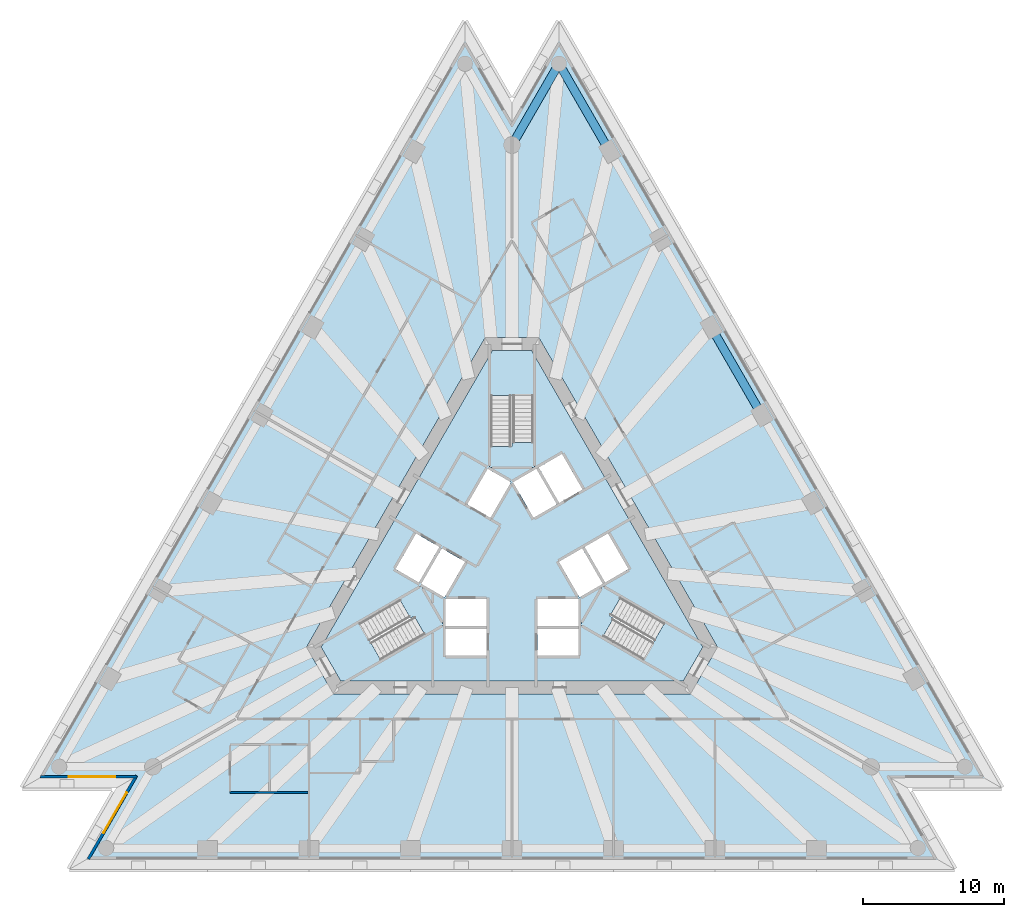
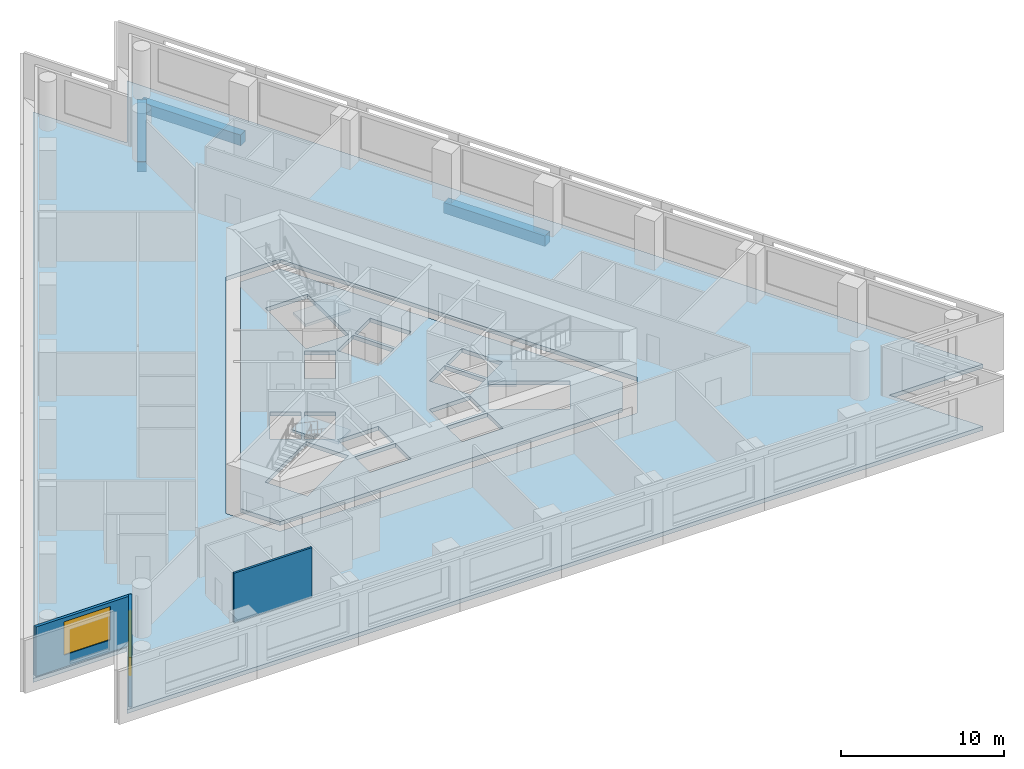
# One storey, part 2 of 11: 5 slabs, 3 beams, 3 walls, 2 windows, 2 openings, 3 elements without a shape of their own.
"""IFC4 building model written with IfcOpenShell, lengths in metres."""

from ifc_helpers import new_model, si_unit, direction, frame, frame_2d, origin, origin_2d, place, context, subcontext, project, spatial, polyline, rectangle, outline, extrude, material, layer, layer_set, layer_usage, material_profile, profile_set, type_object, element, fill, aggregate, save


model = new_model("IFC4")

# Units and contexts
model_context = context("Model", 3, precision=1e-05, world=origin(), true_north=direction((0.0, 1.0)))
body_context = subcontext(model_context, "Body", "Model", "MODEL_VIEW")
ifc_project = project(units=[si_unit("LENGTHUNIT", "METRE"), si_unit("AREAUNIT", "SQUARE_METRE"), si_unit("VOLUMEUNIT", "CUBIC_METRE"), si_unit("PLANEANGLEUNIT", "RADIAN"), si_unit("MASSUNIT", "GRAM", prefix="KILO")], contexts=[model_context])

# Site, building, storey
site_placement = place(None, origin())
site = spatial("IfcSite", under=ifc_project, at=site_placement, CompositionType="ELEMENT")
building_placement = place(site_placement, origin())
building = spatial("IfcBuilding", under=site, at=building_placement, Name="Triada Interchange Tower", CompositionType="ELEMENT")
storey_placement = place(building_placement, frame((0.0, 0.0, 91.300048828125)))
storey = spatial("IfcBuildingStorey", under=building, at=storey_placement, Name="L20", CompositionType="ELEMENT", Elevation=91.300048828125)

# Beams
ifc_material_1 = material(Name="Concrete C50/60", Category="concrete")
ifc_material_profile = material_profile(ifc_material_1, rectangle(XDim=0.60009765625, YDim=0.800048828125, at=origin_2d()), Name="RC 600x800")
ifc_profile_set = profile_set([ifc_material_profile], Name="Concrete C50/60")
beam_type = type_object("IfcBeamType", Name="Spandrel beam A RC 600x800", PredefinedType="BEAM", material=ifc_profile_set)
beam_1_placement = place(storey_placement, frame((17.69189453125, 10.214111328125, -0.699951171875), z_axis=(-0.499954846121, 0.866051471819, 0.0), x_axis=(-0.866051471819, -0.499954846121, 0.0)))
element("IfcBeam", 1, at=beam_1_placement, inside=storey, type_object=beam_type, Name="Spandrel beam EA25 L20", PredefinedType="BEAM", context=body_context, shape_type="SweptSolid", body=[
    extrude(rectangle(XDim=0.60009765625, YDim=0.800048828125, at=origin_2d()), origin(), (0.0, 0.0, 1.0), 7.184326171875),
])
beam_2_placement = place(storey_placement, frame((6.9169921875, 28.8779296875, -0.699951171875), z_axis=(-0.500024480384, 0.866011269567, 0.0), x_axis=(-0.866011269567, -0.500024480384, 0.0)))
element("IfcBeam", 2, at=beam_2_placement, inside=storey, type_object=beam_type, Name="Spandrel beam EA28 L20", PredefinedType="BEAM", context=body_context, shape_type="SweptSolid", body=[
    extrude(rectangle(XDim=0.60009765625, YDim=0.800048828125, at=origin_2d()), origin(), (0.0, 0.0, 1.0), 7.183837890625),
])
beam_3_placement = place(storey_placement, frame((3.324951171875, 35.09912109375, -0.699951171875), z_axis=(-0.49999681972, -0.866027239912, 0.0), x_axis=(0.866027239912, -0.49999681972, 0.0)))
element("IfcBeam", 3, at=beam_3_placement, inside=storey, type_object=beam_type, Name="Spandrel beam EA29 L20", PredefinedType="BEAM", context=body_context, shape_type="SweptSolid", body=[
    extrude(rectangle(XDim=0.60009765625, YDim=0.800048828125, at=origin_2d()), origin(), (0.0, 0.0, 1.0), 6.64990234375),
])

# Slabs
ifc_layer_1 = layer(ifc_material_1, 0.300048828125)
ifc_layer_set_1 = layer_set([ifc_layer_1], Name="Floor slab 300")
slab_type_1 = type_object("IfcSlabType", Name="Floor slab 300", PredefinedType="FLOOR", material=ifc_layer_set_1)
slab_1_placement = place(storey_placement, frame((0.0, 0.0, -0.300048828125)))
element("IfcSlab", 4, at=slab_1_placement, inside=storey, type_object=slab_type_1, Name="Floor slab L20", PredefinedType="FLOOR", context=body_context, shape_type="SweptSolid", body=[
    extrude(outline(polyline([(-3.324951171875, 36.89892578125), (-33.617919921875, -15.570068359375), (-26.968017578125, -15.570068359375), (-30.29296875, -21.3291015625), (30.29296875, -21.3291015625), (26.968017578125, -15.570068359375), (33.617919921875, -15.570068359375), (3.324951171875, 36.89892578125), (0.0, 31.139892578125), (-3.324951171875, 36.89892578125)]), holes=[polyline([(1.905029296875, 15.699951171875), (-1.905029296875, 15.699951171875), (-14.549072265625, -6.199951171875), (-12.64404296875, -9.5), (12.64404296875, -9.5), (14.549072265625, -6.199951171875), (1.905029296875, 15.699951171875)])]), origin(), (0.0, 0.0, 1.0), 0.300048828125),
])
slab_2_placement = place(storey_placement, frame((0.0, 0.0, -0.300048828125)))
element("IfcSlab", 5, at=slab_2_placement, inside=storey, type_object=slab_type_1, Name="Core floor slab L20 1", PredefinedType="FLOOR", context=body_context, shape_type="SweptSolid", body=[
    extrude(outline(polyline([(13.510009765625, -6.199951171875), (12.1240234375, -8.60009765625), (-12.1240234375, -8.60009765625), (-13.510009765625, -6.199951171875), (-1.385986328125, 14.800048828125), (1.385986328125, 14.800048828125), (13.510009765625, -6.199951171875)]), holes=[polyline([(9.2958984375, -7.09912109375), (10.7958984375, -4.5009765625), (6.466064453125, -2.0009765625), (4.966064453125, -4.59912109375), (9.2958984375, -7.09912109375)]), polyline([(6.7890625, 1.841064453125), (5.14404296875, 0.89111328125), (6.593994140625, -1.6201171875), (8.239013671875, -0.669921875), (6.7890625, 1.841064453125)]), polyline([(4.969970703125, 0.791015625), (3.324951171875, -0.158935546875), (4.77490234375, -2.669921875), (6.419921875, -1.719970703125), (4.969970703125, 0.791015625)]), polyline([(1.89404296875, 6.52001953125), (3.343994140625, 4.009033203125), (4.989013671875, 4.958984375), (3.5390625, 7.469970703125), (1.89404296875, 6.52001953125)]), polyline([(1.800048828125, -4.89990234375), (1.800048828125, -6.800048828125), (4.699951171875, -6.800048828125), (4.699951171875, -4.89990234375), (1.800048828125, -4.89990234375)]), polyline([(1.800048828125, -2.800048828125), (1.800048828125, -4.031005859375), (1.800048828125, -4.699951171875), (4.699951171875, -4.699951171875), (4.699951171875, -2.800048828125), (1.800048828125, -2.800048828125)]), polyline([(1.52490234375, 2.958984375), (1.68408203125, 3.051025390625), (3.169921875, 3.908935546875), (1.719970703125, 6.419921875), (0.074951171875, 5.469970703125), (1.52490234375, 2.958984375)]), polyline([(1.5, 11.60009765625), (-1.5, 11.60009765625), (-1.5, 6.60009765625), (1.5, 6.60009765625), (1.5, 11.60009765625)]), polyline([(-0.074951171875, 5.469970703125), (-1.719970703125, 6.419921875), (-3.169921875, 3.908935546875), (-1.6298828125, 3.01904296875), (-1.52490234375, 2.958984375), (-0.074951171875, 5.469970703125)]), polyline([(-4.699951171875, -2.800048828125), (-4.699951171875, -4.699951171875), (-1.800048828125, -4.699951171875), (-1.800048828125, -4.031005859375), (-1.800048828125, -2.800048828125), (-4.699951171875, -2.800048828125)]), polyline([(-4.699951171875, -4.89990234375), (-4.699951171875, -6.800048828125), (-1.800048828125, -6.800048828125), (-1.800048828125, -4.89990234375), (-4.699951171875, -4.89990234375)]), polyline([(-4.77490234375, -2.669921875), (-3.324951171875, -0.158935546875), (-4.969970703125, 0.791015625), (-6.419921875, -1.719970703125), (-4.77490234375, -2.669921875)]), polyline([(-10.7958984375, -4.5009765625), (-9.2958984375, -7.09912109375), (-4.966064453125, -4.59912109375), (-6.466064453125, -2.0009765625), (-10.7958984375, -4.5009765625)]), polyline([(-6.593994140625, -1.6201171875), (-5.14404296875, 0.89111328125), (-6.7890625, 1.841064453125), (-8.239013671875, -0.669921875), (-6.593994140625, -1.6201171875)])]), origin(), (0.0, 0.0, 1.0), 0.300048828125),
])

# Stair, slab
ifc_material_2 = material(Name="Concrete C35/45", Category="concrete")
stair_type = type_object("IfcStairType", Name="HALF TURN STAIR 1400", PredefinedType="HALF_TURN_STAIR", material=ifc_material_2)
stair_1_placement = place(storey_placement, origin())
stair_1 = element("IfcStair", 6, at=stair_1_placement, inside=storey, type_object=stair_type, Name="Exit stair S18-1", PredefinedType="HALF_TURN_STAIR")
ifc_layer_2 = layer(ifc_material_2, 0.199951171875)
ifc_layer_set_2 = layer_set([ifc_layer_2], Name="STAIR LANDING 200")
slab_type_2 = type_object("IfcSlabType", Name="STAIR LANDING 200", PredefinedType="LANDING", material=ifc_layer_set_2)
slab_3_placement = place(storey_placement, frame((0.0, 0.0, 1.719970703125)))
slab_3 = element("IfcSlab", 7, at=slab_3_placement, type_object=slab_type_2, Name="S18-1 landing 1", PredefinedType="LANDING", context=body_context, shape_type="SweptSolid", body=[
    extrude(outline(polyline([(1.60009765625, 6.5), (1.60009765625, 8.300048828125), (0.0, 8.300048828125), (0.0, 8.0), (-1.60009765625, 8.0), (-1.60009765625, 6.5), (1.60009765625, 6.5)])), origin(), (0.0, 0.0, 1.0), 0.199951171875),
])
aggregate(stair_1, [slab_3])

stair_2_placement = place(storey_placement, origin())
stair_2 = element("IfcStair", 8, at=stair_2_placement, inside=storey, type_object=stair_type, Name="Exit stair S18-2", PredefinedType="HALF_TURN_STAIR")
slab_4_placement = place(storey_placement, frame((0.0, 0.0, 1.719970703125)))
slab_4 = element("IfcSlab", 9, at=slab_4_placement, type_object=slab_type_2, Name="S18-2 landing 1", PredefinedType="LANDING", context=body_context, shape_type="SweptSolid", body=[
    extrude(outline(polyline([(-6.428955078125, -1.864013671875), (-7.988037109375, -2.763916015625), (-7.18798828125, -4.14990234375), (-6.927978515625, -4.0), (-6.1279296875, -5.385986328125), (-4.8291015625, -4.635986328125), (-6.428955078125, -1.864013671875)])), origin(), (0.0, 0.0, 1.0), 0.199951171875),
])
aggregate(stair_2, [slab_4])

stair_3_placement = place(storey_placement, origin())
stair_3 = element("IfcStair", 10, at=stair_3_placement, inside=storey, type_object=stair_type, Name="Exit stair S18-3", PredefinedType="HALF_TURN_STAIR")
slab_5_placement = place(storey_placement, frame((0.0, 0.0, 1.719970703125)))
slab_5 = element("IfcSlab", 11, at=slab_5_placement, type_object=slab_type_2, Name="S18-3 landing 1", PredefinedType="LANDING", context=body_context, shape_type="SweptSolid", body=[
    extrude(outline(polyline([(4.8291015625, -4.635986328125), (6.387939453125, -5.535888671875), (7.18798828125, -4.14990234375), (6.927978515625, -4.0), (7.72802734375, -2.614013671875), (6.428955078125, -1.864013671875), (4.8291015625, -4.635986328125)])), origin(), (0.0, 0.0, 1.0), 0.199951171875),
])
aggregate(stair_3, [slab_5])

# Wall, opening, window
ifc_material_3 = material(Name="Cement board")
ifc_layer_3 = layer(ifc_material_3, 0.02001953125, Name="Cement board cladding")
ifc_material_4 = material(Name="Sheathing board")
ifc_layer_4 = layer(ifc_material_4, 0.014892578125, Name="Sheathing board")
ifc_material_5 = material(Name="Mineral wool")
ifc_layer_5 = layer(ifc_material_5, 0.14990234375, Name="Mineral wool between steel studs")
ifc_material_6 = material(Name="Gypsum board")
ifc_layer_6 = layer(ifc_material_6, 0.014892578125, Name="Plasterboard lining")
ifc_layer_set_3 = layer_set([ifc_layer_3, ifc_layer_4, ifc_layer_5, ifc_layer_6], Name="External wall 200")
ifc_layer_usage = layer_usage(ifc_layer_set_3, "AXIS2", "POSITIVE", -0.10009765625)
wall_type_1 = type_object("IfcWallType", Name="External wall 200", PredefinedType="ELEMENTEDWALL", material=ifc_layer_set_3)
wall_1_placement = place(storey_placement, frame((-33.362060546875, -15.3701171875, 0.0), z_axis=(0.0, 0.0, 1.0), x_axis=(1.0, 0.0, 0.0)))
wall_1 = element("IfcWall", 12, at=wall_1_placement, inside=storey, type_object=wall_type_1, material=ifc_layer_usage, Name="External wall L20 SW-1", PredefinedType="ELEMENTEDWALL", context=body_context, shape_type="SweptSolid", body=[
    extrude(rectangle(XDim=6.81005859375, YDim=0.199951171875, at=frame_2d((3.405029296875, 0.0))), origin(), (0.0, 0.0, 1.0), 3.699951171875),
])
opening_1_placement = place(wall_1_placement, frame((1.989990234375, 0.0, 0.89990234375)))
opening_1 = element("IfcOpeningElement", 13, at=opening_1_placement, cuts=wall_1, Name="Opening WA09", PredefinedType="OPENING", context=body_context, shape_type="SweptSolid", body=[
    extrude(rectangle(XDim=3.300048828125, YDim=2.5, at=frame_2d((1.64990234375, 1.25))), frame((0.0, 0.10986328125, 0.0), z_axis=(0.0, -1.0, 0.0), x_axis=(1.0, 0.0, 0.0)), (0.0, 0.0, 1.0), 0.219970703125),
])
ifc_material_7 = material(Name="Double glazed aluminium window", Category="aluminium")
window_type = type_object("IfcWindowType", Name="Ribbon window A pocket", PartitioningType="SINGLE_PANEL", PredefinedType="WINDOW", material=ifc_material_7)
window_1_placement = place(opening_1_placement, origin())
window_1 = element("IfcWindow", 14, at=window_1_placement, inside=storey, type_object=window_type, Name="Window L20 SW-1 1", OverallHeight=2.5, OverallWidth=3.300048828125, PartitioningType="SINGLE_PANEL", PredefinedType="WINDOW", context=body_context, shape_type="SweptSolid", body=[
    extrude(rectangle(XDim=3.300048828125, YDim=2.5, at=frame_2d((1.64990234375, 1.25))), frame((0.0, 0.030029296875, 0.0), z_axis=(0.0, -1.0, 0.0), x_axis=(1.0, 0.0, 0.0)), (0.0, 0.0, 1.0), 0.06005859375),
])
fill(opening_1, window_1)

wall_2_placement = place(storey_placement, frame((-26.576904296875, -15.2919921875, 0.0), z_axis=(0.0, 0.0, 1.0), x_axis=(-0.499983120418, -0.866035148996, 0.0)))
wall_2 = element("IfcWall", 15, at=wall_2_placement, inside=storey, type_object=wall_type_1, material=ifc_layer_usage, Name="External wall L20 SW-2", PredefinedType="ELEMENTEDWALL", context=body_context, shape_type="SweptSolid", body=[
    extrude(rectangle(XDim=6.810302734375, YDim=0.199951171875, at=frame_2d((3.4052734375, 0.0))), origin(), (0.0, 0.0, 1.0), 3.699951171875),
])
opening_2_placement = place(wall_2_placement, frame((1.389892578125, 0.0, 0.89990234375)))
opening_2 = element("IfcOpeningElement", 16, at=opening_2_placement, cuts=wall_2, Name="Opening WA10", PredefinedType="OPENING", context=body_context, shape_type="SweptSolid", body=[
    extrude(rectangle(XDim=3.300048828125, YDim=2.5, at=frame_2d((1.64990234375, 1.25))), frame((0.0, 0.10986328125, 0.0), z_axis=(0.0, -1.0, 0.0), x_axis=(1.0, 0.0, 0.0)), (0.0, 0.0, 1.0), 0.219970703125),
])
window_2_placement = place(opening_2_placement, origin())
window_2 = element("IfcWindow", 17, at=window_2_placement, inside=storey, type_object=window_type, Name="Window L20 SW-2 1", OverallHeight=2.5, OverallWidth=3.300048828125, PartitioningType="SINGLE_PANEL", PredefinedType="WINDOW", context=body_context, shape_type="SweptSolid", body=[
    extrude(rectangle(XDim=3.300048828125, YDim=2.5, at=frame_2d((1.64990234375, 1.25))), frame((0.0, 0.030029296875, 0.0), z_axis=(0.0, -1.0, 0.0), x_axis=(1.0, 0.0, 0.0)), (0.0, 0.0, 1.0), 0.06005859375),
])
fill(opening_2, window_2)

# Wall
ifc_material_8 = material(Name="Gypsum board partition")
ifc_layer_7 = layer(ifc_material_8, 0.14990234375)
ifc_layer_set_4 = layer_set([ifc_layer_7], Name="PARTITION 150 EI 90")
wall_type_2 = type_object("IfcWallType", Name="PARTITION 150 EI 90", PredefinedType="PARTITIONING", material=ifc_layer_set_4)
wall_3_placement = place(storey_placement, frame((-19.967041015625, -16.5, 0.0), z_axis=(0.0, 0.0, 1.0), x_axis=(1.0, 0.0, 0.0)))
element("IfcWall", 18, at=wall_3_placement, inside=storey, type_object=wall_type_2, Name="Wall L18 33", PredefinedType="PARTITIONING", context=body_context, shape_type="SweptSolid", body=[
    extrude(rectangle(XDim=5.525146484375, YDim=0.14990234375, at=frame_2d((2.7626953125, 0.0))), origin(), (0.0, 0.0, 1.0), 3.699951171875),
])

save(model, "model.ifc")
